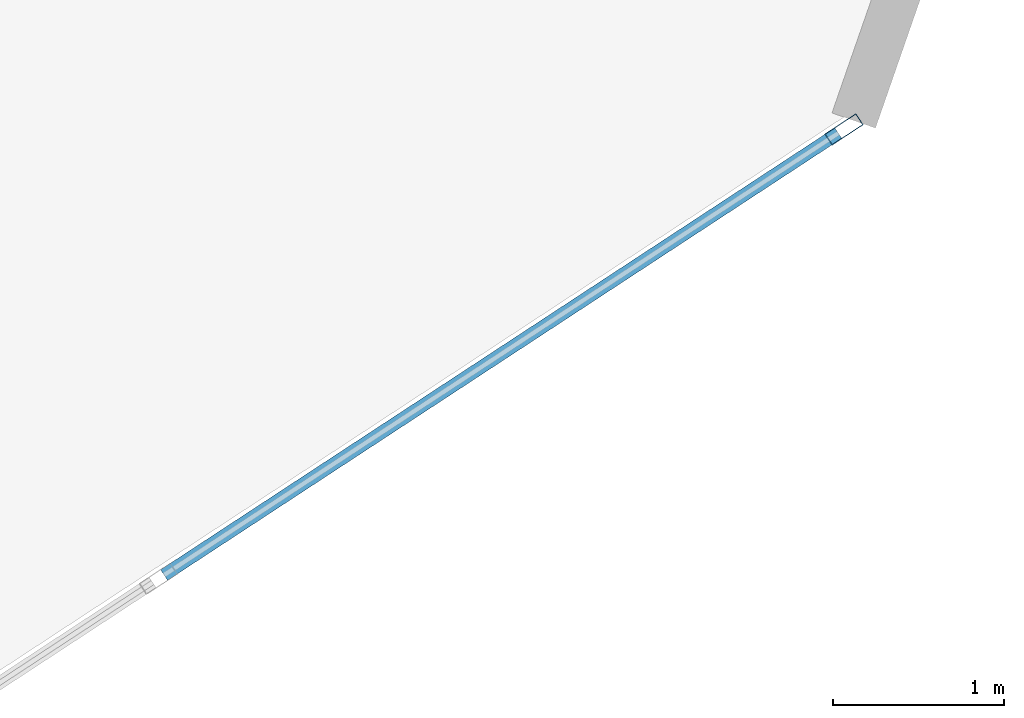
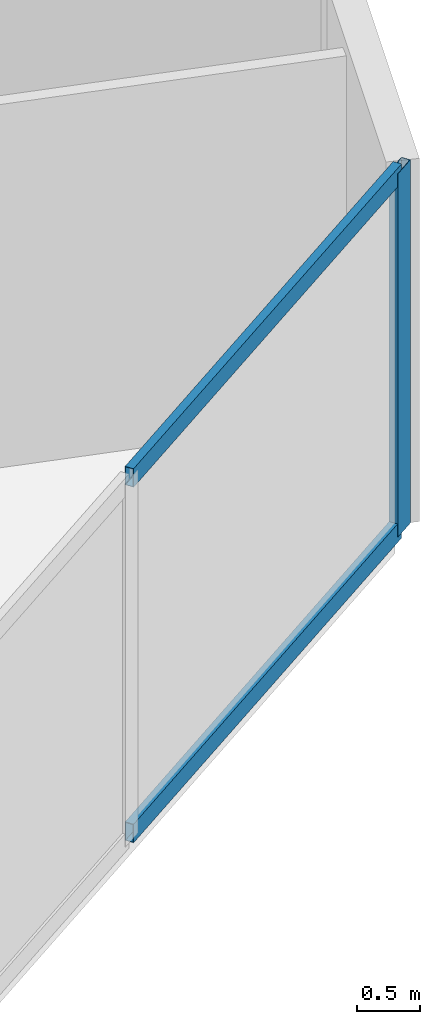
# One storey, part 9 of 20: 3 members, 1 element without a shape of its own.
"""IFC4 building model written with IfcOpenShell, lengths in metres."""

from ifc_helpers import new_model, si_unit, direction, frame, origin, origin_2d, place, context, subcontext, project, spatial, hollow_rectangle, extrude, source, transform, mapped, material, layer, layer_set, material_profile, profile_set, type_object, type_shapes, element, aggregate, save


model = new_model("IFC4")

# Units and contexts
model_context = context("Model", 3, precision=1e-05, world=origin(), true_north=direction((0.0, 1.0)))
body_context = subcontext(model_context, "Body", "Model", "MODEL_VIEW")
ifc_project = project(units=[si_unit("LENGTHUNIT", "METRE"), si_unit("AREAUNIT", "SQUARE_METRE"), si_unit("VOLUMEUNIT", "CUBIC_METRE"), si_unit("PLANEANGLEUNIT", "RADIAN"), si_unit("MASSUNIT", "GRAM", prefix="KILO")], contexts=[model_context])

# Site, building, storey
site_placement = place(None, origin())
site = spatial("IfcSite", under=ifc_project, at=site_placement, CompositionType="ELEMENT")
building_placement = place(site_placement, origin())
building = spatial("IfcBuilding", under=site, at=building_placement, Name="Talar Marvaseh", CompositionType="ELEMENT")
storey_placement = place(building_placement, frame((0.0, 0.0, 58.199951171875)))
storey = spatial("IfcBuildingStorey", under=building, at=storey_placement, Name="L14", CompositionType="ELEMENT", Elevation=58.199951171875)

# Curtain wall, members
ifc_material = material(Name="Architectural Aluminium", Category="aluminium")
ifc_layer = layer(ifc_material, 0.219970703125)
ifc_layer_set = layer_set([ifc_layer], Name="Architectural Aluminium")
curtain_wall_type = type_object("IfcCurtainWallType", Name="Unitised Low-E Museum Curtain Wall Z1", PredefinedType="NOTDEFINED", material=ifc_layer_set)
curtain_wall_placement = place(storey_placement, origin())
curtain_wall = element("IfcCurtainWall", 1, at=curtain_wall_placement, inside=storey, type_object=curtain_wall_type, Name="L14 Unitised Low-E Museum Curtain Wall Z1", PredefinedType="NOTDEFINED")
ifc_material_profile_1 = material_profile(ifc_material, hollow_rectangle(XDim=0.080078125, YDim=0.219970703125, WallThickness=0.0048828125, at=origin_2d()), Name="RHS220x80x5")
ifc_profile_set_1 = profile_set([ifc_material_profile_1], Name="Architectural Aluminium")
member_type_1 = type_object("IfcMemberType", Name="Unitised Curtain Wall Heavy Mullion RHS220x80x5", PredefinedType="MULLION", material=ifc_profile_set_1)
shared_shape_1 = source(origin(), body_context, "Body", "SweptSolid", [
    extrude(hollow_rectangle(XDim=0.080078125, YDim=0.219970703125, WallThickness=0.0048828125, at=origin_2d()), origin(), (0.0, 0.0, 1.0), 3.52001953125),
])
type_shapes(member_type_1, [shared_shape_1])
member_1_placement = place(storey_placement, frame((51.4658203125, 23.60888671875, 0.0), z_axis=(0.0, 0.0, 1.0), x_axis=(0.548163977673, -0.836370882792, 0.0)))
member_1 = element("IfcMember", 2, at=member_1_placement, type_object=member_type_1, Name="CW-Z1 mullion 1", PredefinedType="MULLION", context=body_context, shape_type="MappedRepresentation", body=[
    mapped(shared_shape_1, transform((0.0, 0.0, 0.0), x_axis=(1.0, 0.0, 0.0), y_axis=(0.0, 1.0, 0.0), z_axis=(0.0, 0.0, 1.0), scale=1.0)),
])
ifc_material_profile_2 = material_profile(ifc_material, hollow_rectangle(XDim=0.074951171875, YDim=0.179931640625, WallThickness=0.0048828125, at=origin_2d()), Name="RHS180x75x5")
ifc_profile_set_2 = profile_set([ifc_material_profile_2], Name="Architectural Aluminium")
member_type_2 = type_object("IfcMemberType", Name="Unitised Curtain Wall Transom RHS180x75x5", PredefinedType="USERDEFINED", material=ifc_profile_set_2)
shared_shape_2 = source(origin(), body_context, "Body", "SweptSolid", [
    extrude(hollow_rectangle(XDim=0.074951171875, YDim=0.179931640625, WallThickness=0.0048828125, at=origin_2d()), origin(), (0.0, 0.0, 1.0), 4.725341796875),
])
type_shapes(member_type_2, [shared_shape_2])
member_2_placement = place(storey_placement, frame((51.432373046875, 23.5869140625, 0.03759765625), z_axis=(-0.836364748466, -0.548173337115, 0.0), x_axis=(0.548173337115, -0.836364748466, 0.0)))
member_2 = element("IfcMember", 3, at=member_2_placement, type_object=member_type_2, Name="CW-Z1 transom 1.1", ObjectType="TRANSOM", PredefinedType="USERDEFINED", context=body_context, shape_type="MappedRepresentation", body=[
    mapped(shared_shape_2, transform((0.0, 0.0, 0.0), x_axis=(1.0, 0.0, 0.0), y_axis=(0.0, 1.0, 0.0), z_axis=(0.0, 0.0, 1.0), scale=1.0)),
])
member_3_placement = place(storey_placement, frame((51.432373046875, 23.5869140625, 3.482666015625), z_axis=(-0.836364748466, -0.548173337115, 0.0), x_axis=(0.548173337115, -0.836364748466, 0.0)))
member_3 = element("IfcMember", 4, at=member_3_placement, type_object=member_type_2, Name="CW-Z1 transom 1.2", ObjectType="TRANSOM", PredefinedType="USERDEFINED", context=body_context, shape_type="MappedRepresentation", body=[
    mapped(shared_shape_2, transform((0.0, 0.0, 0.0), x_axis=(1.0, 0.0, 0.0), y_axis=(0.0, 1.0, 0.0), z_axis=(0.0, 0.0, 1.0), scale=1.0)),
])
aggregate(curtain_wall, [member_1, member_2, member_3])

save(model, "model.ifc")
